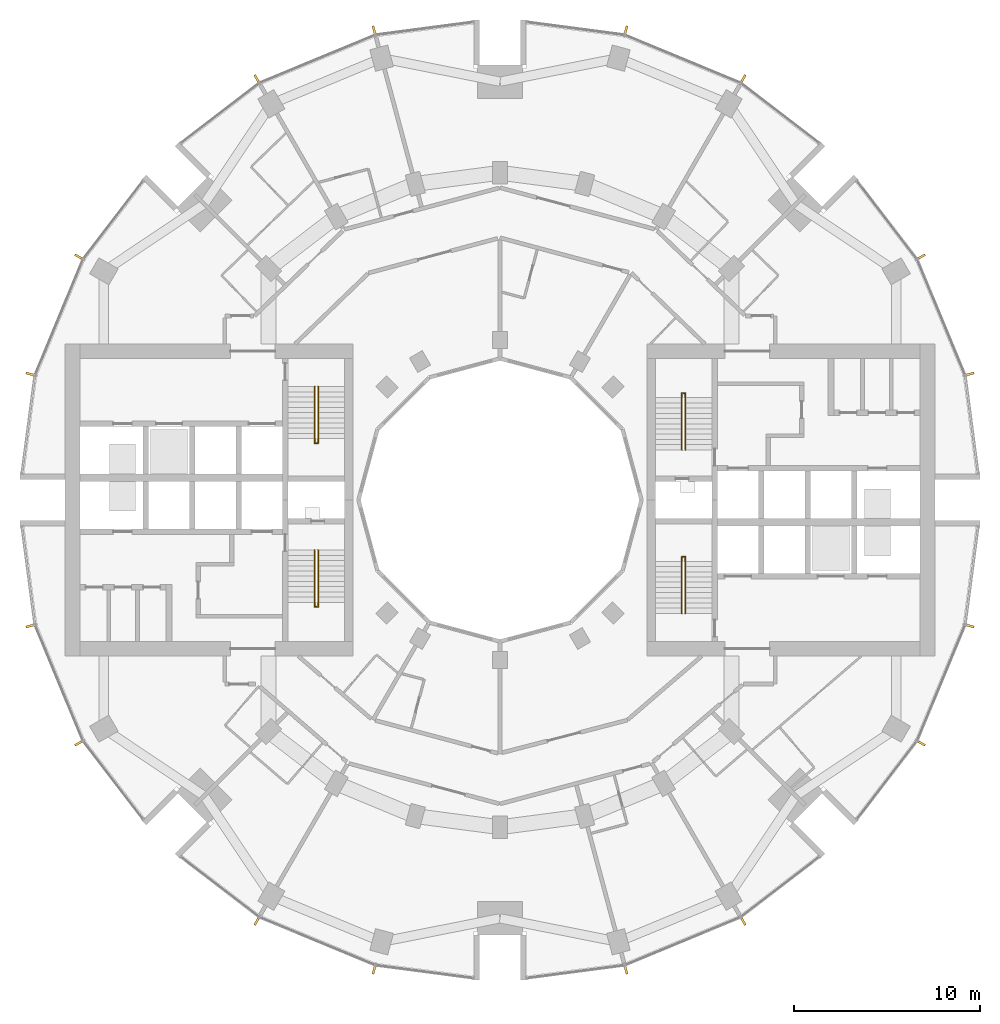
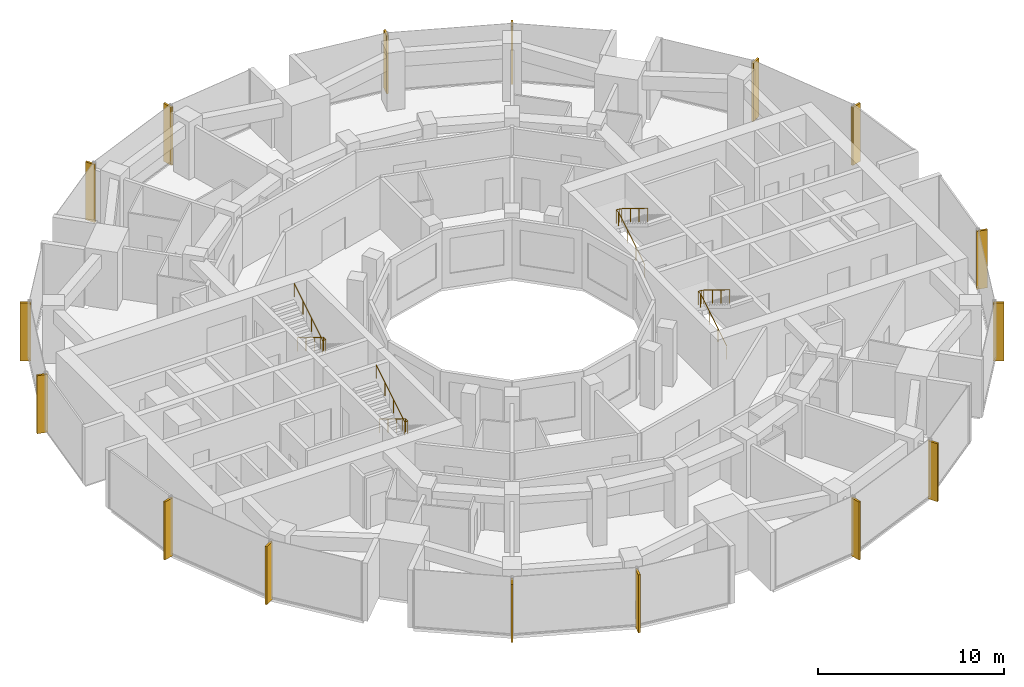
# One storey, part 14 of 15: 16 shading devices, 4 railings.
"""IFC4 building model written with IfcOpenShell, lengths in metres."""

from ifc_helpers import new_model, si_unit, direction, frame, origin, origin_2d, place, context, subcontext, project, spatial, rectangle, circle, extrude, material, material_profile, profile_set, type_object, element, save


model = new_model("IFC4")

# Units and contexts
model_context = context("Model", 3, precision=1e-05, world=origin(), true_north=direction((0.0, 1.0)))
body_context = subcontext(model_context, "Body", "Model", "MODEL_VIEW")
ifc_project = project(units=[si_unit("LENGTHUNIT", "METRE"), si_unit("AREAUNIT", "SQUARE_METRE"), si_unit("VOLUMEUNIT", "CUBIC_METRE"), si_unit("PLANEANGLEUNIT", "RADIAN"), si_unit("MASSUNIT", "GRAM", prefix="KILO")], contexts=[model_context])

# Site, building, storey
site_placement = place(None, origin())
site = spatial("IfcSite", under=ifc_project, at=site_placement, CompositionType="ELEMENT")
building_placement = place(site_placement, origin())
building = spatial("IfcBuilding", under=site, at=building_placement, Name="Torre Brocal", CompositionType="ELEMENT")
storey_placement = place(building_placement, frame((0.0, 0.0, 93.800048828125)))
storey = spatial("IfcBuildingStorey", under=building, at=storey_placement, Name="L21", CompositionType="ELEMENT", Elevation=93.800048828125)

# Shading devices
ifc_material_1 = material(Name="Aluminium, black anodised", Category="aluminium")
ifc_material_profile = material_profile(ifc_material_1, rectangle(XDim=0.1201171875, YDim=0.60009765625, at=origin_2d()), Name="FIN 120X600 3800 HIGH")
ifc_profile_set = profile_set([ifc_material_profile], Name="Aluminium, black anodised")
shading_device_type = type_object("IfcShadingDeviceType", Name="FIN 120X600 3800 HIGH", PredefinedType="USERDEFINED", material=ifc_profile_set)
for number, where, z_axis, x_axis, name in (
    (1, (105.208984375, 81.754638671875, -0.150146484375), (0.0, 0.0, 1.0), (-0.258819045103, 0.965925826289, 0.0), "FIN"),
    (2, (102.601806640625, 88.049072265625, -0.150146484375), (0.0, 0.0, 1.0), (-0.5, 0.866025403784, 0.0), "FIN"),
    (3, (93.049072265625, 97.601806640625, -0.150146484375), (0.0, 0.0, 1.0), (-0.866025403784, 0.5, 0.0), "FIN"),
    (4, (86.754638671875, 100.208984375, -0.150146484375), (0.0, 0.0, 1.0), (-0.965925826289, 0.258819045103, 0.0), "FIN"),
    (5, (73.245361328125, 100.208984375, -0.150146484375), (0.0, 0.0, 1.0), (-0.965925826289, -0.258819045103, 0.0), "FIN"),
    (6, (66.950927734375, 97.601806640625, -0.150146484375), (0.0, 0.0, 1.0), (-0.866025403784, -0.5, 0.0), "FIN"),
    (7, (57.398193359375, 88.049072265625, -0.150146484375), (0.0, 0.0, 1.0), (-0.5, -0.866025403784, 0.0), "FIN"),
    (8, (54.791015625, 81.754638671875, -0.150146484375), (0.0, 0.0, 1.0), (-0.258819045103, -0.965925826289, 0.0), "FIN"),
    (9, (54.791015625, 68.245361328125, -0.150146484375), (0.0, 0.0, 1.0), (0.258819045103, -0.965925826289, 0.0), "FIN"),
    (10, (57.398193359375, 61.950927734375, -0.150146484375), (0.0, 0.0, 1.0), (0.5, -0.866025403784, 0.0), "FIN"),
    (11, (66.950927734375, 52.398193359375, -0.150146484375), (0.0, 0.0, 1.0), (0.866025403784, -0.5, 0.0), "FIN"),
    (12, (73.245361328125, 49.791015625, -0.150146484375), (0.0, 0.0, 1.0), (0.965925826289, -0.258819045103, 0.0), "FIN"),
    (13, (86.754638671875, 49.791015625, -0.150146484375), (0.0, 0.0, 1.0), (0.965925826289, 0.258819045103, 0.0), "FIN"),
    (14, (93.049072265625, 52.398193359375, -0.150146484375), (0.0, 0.0, 1.0), (0.866025403784, 0.5, 0.0), "FIN"),
    (15, (102.601806640625, 61.950927734375, -0.150146484375), (0.0, 0.0, 1.0), (0.5, 0.866025403784, 0.0), "FIN"),
    (16, (105.208984375, 68.245361328125, -0.150146484375), (0.0, 0.0, 1.0), (0.258819045103, 0.965925826289, 0.0), "FIN"),
):
    element("IfcShadingDevice", number, at=place(storey_placement, frame(where, z_axis=z_axis, x_axis=x_axis)), inside=storey, type_object=shading_device_type, Name=name, ObjectType="FIN", PredefinedType="USERDEFINED", context=body_context, shape_type="SweptSolid", body=[
        extrude(rectangle(XDim=0.1201171875, YDim=0.60009765625, at=origin_2d()), origin(), (0.0, 0.0, 1.0), 3.800048828125),
    ])

# Railings
ifc_material_2 = material(Name="Stainless steel AISI 316", Category="steel")
railing_type = type_object("IfcRailingType", Name="STAIR HANDRAIL", PredefinedType="HANDRAIL", material=ifc_material_2)
railing_1_placement = place(storey_placement, frame((89.780029296875, 77.699951171875, 0.172607421875)))
element("IfcRailing", 17, at=railing_1_placement, inside=storey, type_object=railing_type, Name="HANDRAIL ST1", PredefinedType="HANDRAIL", context=body_context, shape_type="SweptSolid", body=[
    extrude(circle(Radius=0.02392578125, at=origin_2d()), frame((0.0, 0.0, 0.8759765625), z_axis=(0.0, 0.851089632645, 0.525020415988), x_axis=(-1.0, 0.0, 0.0)), (0.0, 0.0, 1.0), 3.2900390625),
    extrude(circle(Radius=0.02392578125, at=origin_2d()), frame((0.0, 2.800048828125, 2.60302734375), z_axis=(0.0, 1.0, 0.0), x_axis=(-1.0, 0.0, 0.0)), (0.0, 0.0, 1.0), 0.25),
    extrude(circle(Radius=0.02392578125, at=origin_2d()), frame((0.0, 3.050048828125, 2.60302734375), z_axis=(1.0, 0.0, 0.0), x_axis=(0.0, 1.0, 0.0)), (0.0, 0.0, 1.0), 0.18994140625),
    extrude(circle(Radius=0.02392578125, at=origin_2d()), frame((0.18994140625, 3.050048828125, 2.60302734375), z_axis=(0.0, -0.82253904752, 0.568708638324), x_axis=(1.0, 0.0, 0.0)), (0.0, 0.0, 1.0), 0.303955078125),
    extrude(circle(Radius=0.02392578125, at=origin_2d()), frame((0.18994140625, 2.800048828125, 2.77587890625), z_axis=(0.0, -0.851089632645, 0.525020415988), x_axis=(1.0, 0.0, 0.0)), (0.0, 0.0, 1.0), 3.2900390625),
    extrude(circle(Radius=0.02099609375, at=origin_2d()), origin(), (0.0, 0.0, 1.0), 0.851806640625),
    extrude(circle(Radius=0.02099609375, at=origin_2d()), frame((0.0, 0.933349609375, 0.57568359375)), (0.0, 0.0, 1.0), 0.851806640625),
    extrude(circle(Radius=0.02099609375, at=origin_2d()), frame((0.0, 1.86669921875, 1.151611328125)), (0.0, 0.0, 1.0), 0.851806640625),
    extrude(circle(Radius=0.02099609375, at=origin_2d()), frame((0.0, 2.800048828125, 1.727294921875)), (0.0, 0.0, 1.0), 0.851806640625),
    extrude(circle(Radius=0.02099609375, at=origin_2d()), frame((0.0, 3.050048828125, 1.727294921875)), (0.0, 0.0, 1.0), 0.851806640625),
    extrude(circle(Radius=0.02099609375, at=origin_2d()), frame((0.18994140625, 3.050048828125, 1.727294921875)), (0.0, 0.0, 1.0), 0.851806640625),
    extrude(circle(Radius=0.02099609375, at=origin_2d()), frame((0.18994140625, 2.800048828125, 1.900146484375)), (0.0, 0.0, 1.0), 0.851806640625),
    extrude(circle(Radius=0.02099609375, at=origin_2d()), frame((0.18994140625, 1.86669921875, 2.475830078125)), (0.0, 0.0, 1.0), 0.851806640625),
    extrude(circle(Radius=0.02099609375, at=origin_2d()), frame((0.18994140625, 0.933349609375, 3.0517578125)), (0.0, 0.0, 1.0), 0.851806640625),
    extrude(circle(Radius=0.02099609375, at=origin_2d()), frame((0.18994140625, 0.0, 3.62744140625)), (0.0, 0.0, 1.0), 0.851806640625),
])
railing_2_placement = place(storey_placement, frame((89.780029296875, 68.89990234375, 0.172607421875)))
element("IfcRailing", 18, at=railing_2_placement, inside=storey, type_object=railing_type, Name="HANDRAIL ST2", PredefinedType="HANDRAIL", context=body_context, shape_type="SweptSolid", body=[
    extrude(circle(Radius=0.02392578125, at=origin_2d()), frame((0.0, 0.0, 0.8759765625), z_axis=(0.0, 0.851089632645, 0.525020415988), x_axis=(-1.0, 0.0, 0.0)), (0.0, 0.0, 1.0), 3.2900390625),
    extrude(circle(Radius=0.02392578125, at=origin_2d()), frame((0.0, 2.800048828125, 2.60302734375), z_axis=(0.0, 1.0, 0.0), x_axis=(-1.0, 0.0, 0.0)), (0.0, 0.0, 1.0), 0.25),
    extrude(circle(Radius=0.02392578125, at=origin_2d()), frame((0.0, 3.050048828125, 2.60302734375), z_axis=(1.0, 0.0, 0.0), x_axis=(0.0, 1.0, 0.0)), (0.0, 0.0, 1.0), 0.18994140625),
    extrude(circle(Radius=0.02392578125, at=origin_2d()), frame((0.18994140625, 3.050048828125, 2.60302734375), z_axis=(0.0, -0.82253904752, 0.568708638324), x_axis=(1.0, 0.0, 0.0)), (0.0, 0.0, 1.0), 0.303955078125),
    extrude(circle(Radius=0.02392578125, at=origin_2d()), frame((0.18994140625, 2.800048828125, 2.77587890625), z_axis=(0.0, -0.851089632645, 0.525020415988), x_axis=(1.0, 0.0, 0.0)), (0.0, 0.0, 1.0), 3.2900390625),
    extrude(circle(Radius=0.02099609375, at=origin_2d()), origin(), (0.0, 0.0, 1.0), 0.851806640625),
    extrude(circle(Radius=0.02099609375, at=origin_2d()), frame((0.0, 0.933349609375, 0.57568359375)), (0.0, 0.0, 1.0), 0.851806640625),
    extrude(circle(Radius=0.02099609375, at=origin_2d()), frame((0.0, 1.86669921875, 1.151611328125)), (0.0, 0.0, 1.0), 0.851806640625),
    extrude(circle(Radius=0.02099609375, at=origin_2d()), frame((0.0, 2.800048828125, 1.727294921875)), (0.0, 0.0, 1.0), 0.851806640625),
    extrude(circle(Radius=0.02099609375, at=origin_2d()), frame((0.0, 3.050048828125, 1.727294921875)), (0.0, 0.0, 1.0), 0.851806640625),
    extrude(circle(Radius=0.02099609375, at=origin_2d()), frame((0.18994140625, 3.050048828125, 1.727294921875)), (0.0, 0.0, 1.0), 0.851806640625),
    extrude(circle(Radius=0.02099609375, at=origin_2d()), frame((0.18994140625, 2.800048828125, 1.900146484375)), (0.0, 0.0, 1.0), 0.851806640625),
    extrude(circle(Radius=0.02099609375, at=origin_2d()), frame((0.18994140625, 1.86669921875, 2.475830078125)), (0.0, 0.0, 1.0), 0.851806640625),
    extrude(circle(Radius=0.02099609375, at=origin_2d()), frame((0.18994140625, 0.933349609375, 3.0517578125)), (0.0, 0.0, 1.0), 0.851806640625),
    extrude(circle(Radius=0.02099609375, at=origin_2d()), frame((0.18994140625, 0.0, 3.62744140625)), (0.0, 0.0, 1.0), 0.851806640625),
])
railing_3_placement = place(storey_placement, frame((70.219970703125, 72.300048828125, 0.172607421875)))
element("IfcRailing", 19, at=railing_3_placement, inside=storey, type_object=railing_type, Name="HANDRAIL ST3", PredefinedType="HANDRAIL", context=body_context, shape_type="SweptSolid", body=[
    extrude(circle(Radius=0.02392578125, at=origin_2d()), frame((0.0, 0.0, 0.8759765625), z_axis=(0.0, -0.851089632645, 0.525020415988), x_axis=(1.0, 0.0, 0.0)), (0.0, 0.0, 1.0), 3.2900390625),
    extrude(circle(Radius=0.02392578125, at=origin_2d()), frame((0.0, -2.800048828125, 2.60302734375), z_axis=(0.0, -1.0, 0.0), x_axis=(1.0, 0.0, 0.0)), (0.0, 0.0, 1.0), 0.25),
    extrude(circle(Radius=0.02392578125, at=origin_2d()), frame((0.0, -3.050048828125, 2.60302734375), z_axis=(-1.0, 0.0, 0.0), x_axis=(0.0, -1.0, 0.0)), (0.0, 0.0, 1.0), 0.18994140625),
    extrude(circle(Radius=0.02392578125, at=origin_2d()), frame((-0.18994140625, -3.050048828125, 2.60302734375), z_axis=(0.0, 0.82253904752, 0.568708638324), x_axis=(-1.0, 0.0, 0.0)), (0.0, 0.0, 1.0), 0.303955078125),
    extrude(circle(Radius=0.02392578125, at=origin_2d()), frame((-0.18994140625, -2.800048828125, 2.77587890625), z_axis=(0.0, 0.851089632645, 0.525020415988), x_axis=(-1.0, 0.0, 0.0)), (0.0, 0.0, 1.0), 3.2900390625),
    extrude(circle(Radius=0.02099609375, at=origin_2d()), origin(), (0.0, 0.0, 1.0), 0.851806640625),
    extrude(circle(Radius=0.02099609375, at=origin_2d()), frame((0.0, -0.933349609375, 0.57568359375)), (0.0, 0.0, 1.0), 0.851806640625),
    extrude(circle(Radius=0.02099609375, at=origin_2d()), frame((0.0, -1.86669921875, 1.151611328125)), (0.0, 0.0, 1.0), 0.851806640625),
    extrude(circle(Radius=0.02099609375, at=origin_2d()), frame((0.0, -2.800048828125, 1.727294921875)), (0.0, 0.0, 1.0), 0.851806640625),
    extrude(circle(Radius=0.02099609375, at=origin_2d()), frame((0.0, -3.050048828125, 1.727294921875)), (0.0, 0.0, 1.0), 0.851806640625),
    extrude(circle(Radius=0.02099609375, at=origin_2d()), frame((-0.18994140625, -3.050048828125, 1.727294921875)), (0.0, 0.0, 1.0), 0.851806640625),
    extrude(circle(Radius=0.02099609375, at=origin_2d()), frame((-0.18994140625, -2.800048828125, 1.900146484375)), (0.0, 0.0, 1.0), 0.851806640625),
    extrude(circle(Radius=0.02099609375, at=origin_2d()), frame((-0.18994140625, -1.86669921875, 2.475830078125)), (0.0, 0.0, 1.0), 0.851806640625),
    extrude(circle(Radius=0.02099609375, at=origin_2d()), frame((-0.18994140625, -0.933349609375, 3.0517578125)), (0.0, 0.0, 1.0), 0.851806640625),
    extrude(circle(Radius=0.02099609375, at=origin_2d()), frame((-0.18994140625, 0.0, 3.62744140625)), (0.0, 0.0, 1.0), 0.851806640625),
])
railing_4_placement = place(storey_placement, frame((70.219970703125, 81.10009765625, 0.172607421875)))
element("IfcRailing", 20, at=railing_4_placement, inside=storey, type_object=railing_type, Name="HANDRAIL ST4", PredefinedType="HANDRAIL", context=body_context, shape_type="SweptSolid", body=[
    extrude(circle(Radius=0.02392578125, at=origin_2d()), frame((0.0, 0.0, 0.8759765625), z_axis=(0.0, -0.851089632645, 0.525020415988), x_axis=(1.0, 0.0, 0.0)), (0.0, 0.0, 1.0), 3.2900390625),
    extrude(circle(Radius=0.02392578125, at=origin_2d()), frame((0.0, -2.800048828125, 2.60302734375), z_axis=(0.0, -1.0, 0.0), x_axis=(1.0, 0.0, 0.0)), (0.0, 0.0, 1.0), 0.25),
    extrude(circle(Radius=0.02392578125, at=origin_2d()), frame((0.0, -3.050048828125, 2.60302734375), z_axis=(-1.0, 0.0, 0.0), x_axis=(0.0, -1.0, 0.0)), (0.0, 0.0, 1.0), 0.18994140625),
    extrude(circle(Radius=0.02392578125, at=origin_2d()), frame((-0.18994140625, -3.050048828125, 2.60302734375), z_axis=(0.0, 0.82253904752, 0.568708638324), x_axis=(-1.0, 0.0, 0.0)), (0.0, 0.0, 1.0), 0.303955078125),
    extrude(circle(Radius=0.02392578125, at=origin_2d()), frame((-0.18994140625, -2.800048828125, 2.77587890625), z_axis=(0.0, 0.851089632645, 0.525020415988), x_axis=(-1.0, 0.0, 0.0)), (0.0, 0.0, 1.0), 3.2900390625),
    extrude(circle(Radius=0.02099609375, at=origin_2d()), origin(), (0.0, 0.0, 1.0), 0.851806640625),
    extrude(circle(Radius=0.02099609375, at=origin_2d()), frame((0.0, -0.933349609375, 0.57568359375)), (0.0, 0.0, 1.0), 0.851806640625),
    extrude(circle(Radius=0.02099609375, at=origin_2d()), frame((0.0, -1.86669921875, 1.151611328125)), (0.0, 0.0, 1.0), 0.851806640625),
    extrude(circle(Radius=0.02099609375, at=origin_2d()), frame((0.0, -2.800048828125, 1.727294921875)), (0.0, 0.0, 1.0), 0.851806640625),
    extrude(circle(Radius=0.02099609375, at=origin_2d()), frame((0.0, -3.050048828125, 1.727294921875)), (0.0, 0.0, 1.0), 0.851806640625),
    extrude(circle(Radius=0.02099609375, at=origin_2d()), frame((-0.18994140625, -3.050048828125, 1.727294921875)), (0.0, 0.0, 1.0), 0.851806640625),
    extrude(circle(Radius=0.02099609375, at=origin_2d()), frame((-0.18994140625, -2.800048828125, 1.900146484375)), (0.0, 0.0, 1.0), 0.851806640625),
    extrude(circle(Radius=0.02099609375, at=origin_2d()), frame((-0.18994140625, -1.86669921875, 2.475830078125)), (0.0, 0.0, 1.0), 0.851806640625),
    extrude(circle(Radius=0.02099609375, at=origin_2d()), frame((-0.18994140625, -0.933349609375, 3.0517578125)), (0.0, 0.0, 1.0), 0.851806640625),
    extrude(circle(Radius=0.02099609375, at=origin_2d()), frame((-0.18994140625, 0.0, 3.62744140625)), (0.0, 0.0, 1.0), 0.851806640625),
])

save(model, "model.ifc")
